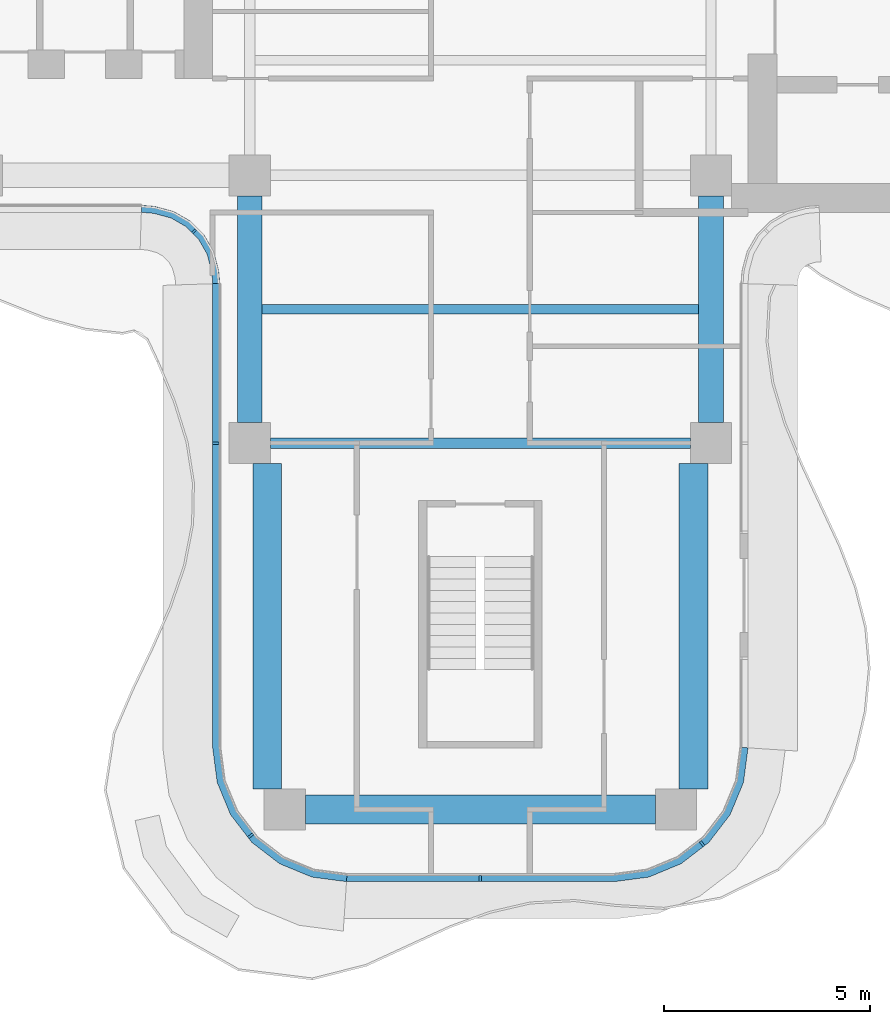
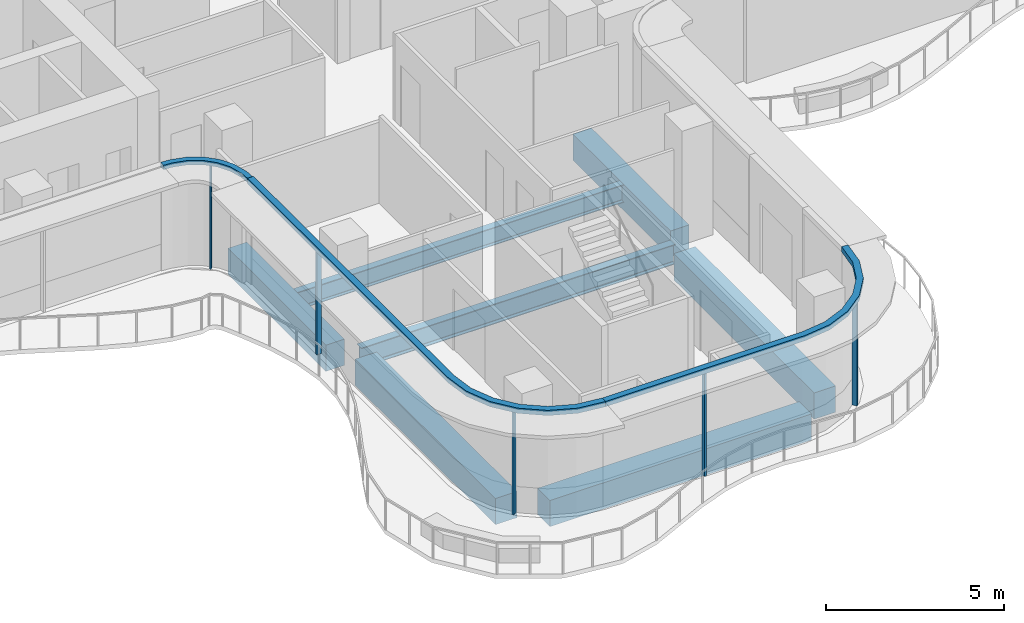
# One storey, part 2 of 16: 8 members, 7 beams, 3 elements without a shape of their own.
"""IFC4 building model written with IfcOpenShell, lengths in metres."""

from ifc_helpers import new_model, si_unit, direction, frame, origin, origin_2d, place, context, subcontext, project, spatial, polyline, rectangle, i_section, outline, extrude, source, transform, mapped, material, layer, layer_set, material_profile, profile_set, type_object, element, aggregate, save


model = new_model("IFC4")

# Units and contexts
model_context = context("Model", 3, precision=1e-05, world=origin(), true_north=direction((0.0, 1.0)))
body_context = subcontext(model_context, "Body", "Model", "MODEL_VIEW")
ifc_project = project(units=[si_unit("LENGTHUNIT", "METRE"), si_unit("AREAUNIT", "SQUARE_METRE"), si_unit("VOLUMEUNIT", "CUBIC_METRE"), si_unit("PLANEANGLEUNIT", "RADIAN"), si_unit("MASSUNIT", "GRAM", prefix="KILO")], contexts=[model_context])

# Site, building, storey
site_placement = place(None, origin())
site = spatial("IfcSite", under=ifc_project, at=site_placement, CompositionType="ELEMENT")
building_placement = place(site_placement, origin())
building = spatial("IfcBuilding", under=site, at=building_placement, Name="Trellis Farm Tower", CompositionType="ELEMENT")
storey_placement = place(building_placement, frame((0.0, 0.0, 291.10009765625)))
storey = spatial("IfcBuildingStorey", under=building, at=storey_placement, Name="L65", CompositionType="ELEMENT", Elevation=291.10009765625)

# Beams
ifc_material_1 = material(Name="Steel S355", Category="steel")
ifc_material_profile_1 = material_profile(ifc_material_1, i_section(OverallWidth=0.22900390625, OverallDepth=0.6123046875, WebThickness=0.011962890625, FlangeThickness=0.01953125, FilletRadius=0.0126953125, at=origin_2d()), Name="UB 610x229x125")
ifc_profile_set_1 = profile_set([ifc_material_profile_1], Name="Steel S355")
beam_type_1 = type_object("IfcBeamType", Name="UB 610x229x125 joist", PredefinedType="JOIST", material=ifc_profile_set_1)
shared_shape_1 = source(origin(), body_context, "Body", "SweptSolid", [
    extrude(i_section(OverallWidth=0.22900390625, OverallDepth=0.6123046875, WebThickness=0.011962890625, FlangeThickness=0.01953125, FilletRadius=0.0126953125, at=origin_2d()), origin(), (0.0, 0.0, 1.0), 10.60009765625),
])
beam_1_placement = place(storey_placement, frame((-5.300048828125, -8.85009765625, -0.506103515625), z_axis=(1.0, 0.0, 0.0), x_axis=(0.0, 1.0, 0.0)))
element("IfcBeam", 1, at=beam_1_placement, inside=storey, type_object=beam_type_1, Name="Floor beam", PredefinedType="JOIST", context=body_context, shape_type="MappedRepresentation", body=[
    mapped(shared_shape_1, transform((0.0, 0.0, 0.0))),
])
ifc_material_profile_2 = material_profile(ifc_material_1, i_section(OverallWidth=0.253662109375, OverallDepth=0.68359375, WebThickness=0.012451171875, FlangeThickness=0.021728515625, FilletRadius=0.01513671875, at=origin_2d()), Name="UB 686x254x140")
ifc_profile_set_2 = profile_set([ifc_material_profile_2], Name="Steel S355")
beam_type_2 = type_object("IfcBeamType", Name="UB 686x254x140", PredefinedType="BEAM", material=ifc_profile_set_2)
shared_shape_2 = source(origin(), body_context, "Body", "SweptSolid", [
    extrude(i_section(OverallWidth=0.253662109375, OverallDepth=0.68359375, WebThickness=0.012451171875, FlangeThickness=0.021728515625, FilletRadius=0.01513671875, at=origin_2d()), origin(), (0.0, 0.0, 1.0), 10.2001953125),
])
beam_2_placement = place(storey_placement, frame((-5.10009765625, -12.10009765625, -0.541748046875), z_axis=(1.0, 0.0, 0.0), x_axis=(0.0, 1.0, 0.0)))
element("IfcBeam", 2, at=beam_2_placement, inside=storey, type_object=beam_type_2, Name="Girder", PredefinedType="BEAM", context=body_context, shape_type="MappedRepresentation", body=[
    mapped(shared_shape_2, transform((0.0, 0.0, 0.0))),
])
ifc_material_2 = material(Name="Concrete C60/75", Category="concrete")
ifc_material_profile_3 = material_profile(ifc_material_2, rectangle(XDim=0.60009765625, YDim=0.89990234375, at=origin_2d()), Name="RC spandrel beam 600x900 C60/75")
ifc_profile_set_3 = profile_set([ifc_material_profile_3], Name="Concrete C60/75")
beam_type_3 = type_object("IfcBeamType", Name="RC spandrel beam 600x900 C60/75", PredefinedType="SPANDREL", material=ifc_profile_set_3)
shared_shape_3 = source(origin(), body_context, "Body", "SweptSolid", [
    extrude(rectangle(XDim=0.60009765625, YDim=0.89990234375, at=origin_2d()), origin(), (0.0, 0.0, 1.0), 5.5),
])
for number, where, z_axis, x_axis, name in (
    (3, (-5.60009765625, -11.60009765625, -0.650146484375), (0.0, 1.0, 0.0), (-1.0, 0.0, 0.0), "Girder"),
    (4, (5.60009765625, -11.60009765625, -0.650146484375), (0.0, 1.0, 0.0), (-1.0, 0.0, 0.0), "Girder"),
):
    element("IfcBeam", number, at=place(storey_placement, frame(where, z_axis=z_axis, x_axis=x_axis)), inside=storey, type_object=beam_type_3, Name=name, PredefinedType="SPANDREL", context=body_context, shape_type="MappedRepresentation", body=[
        mapped(shared_shape_3, transform((0.0, 0.0, 0.0))),
    ])
ifc_material_profile_4 = material_profile(ifc_material_2, rectangle(XDim=0.699951171875, YDim=0.89990234375, at=origin_2d()), Name="RC spandrel beam 700x900 C60/75")
ifc_profile_set_4 = profile_set([ifc_material_profile_4], Name="Concrete C60/75")
beam_type_4 = type_object("IfcBeamType", Name="RC spandrel beam 700x900 C60/75", PredefinedType="SPANDREL", material=ifc_profile_set_4)
shared_shape_4 = source(origin(), body_context, "Body", "SweptSolid", [
    extrude(rectangle(XDim=0.699951171875, YDim=0.89990234375, at=origin_2d()), origin(), (0.0, 0.0, 1.0), 8.5),
])
beam_3_placement = place(storey_placement, frame((-4.25, -21.0, -0.650146484375), z_axis=(1.0, 0.0, 0.0), x_axis=(0.0, 1.0, 0.0)))
element("IfcBeam", 5, at=beam_3_placement, inside=storey, type_object=beam_type_4, Name="Girder", PredefinedType="SPANDREL", context=body_context, shape_type="MappedRepresentation", body=[
    mapped(shared_shape_4, transform((0.0, 0.0, 0.0))),
])
shared_shape_5 = source(origin(), body_context, "Body", "SweptSolid", [
    extrude(rectangle(XDim=0.699951171875, YDim=0.89990234375, at=origin_2d()), origin(), (0.0, 0.0, 1.0), 7.89990234375),
])
for number, where, z_axis, x_axis, name in (
    (6, (-5.175048828125, -20.5, -0.650146484375), (0.0, 1.0, 0.0), (-1.0, 0.0, 0.0), "Girder"),
    (7, (5.175048828125, -20.5, -0.650146484375), (0.0, 1.0, 0.0), (-1.0, 0.0, 0.0), "Girder"),
):
    element("IfcBeam", number, at=place(storey_placement, frame(where, z_axis=z_axis, x_axis=x_axis)), inside=storey, type_object=beam_type_4, Name=name, PredefinedType="SPANDREL", context=body_context, shape_type="MappedRepresentation", body=[
        mapped(shared_shape_5, transform((0.0, 0.0, 0.0))),
    ])

# Curtain wall, members
ifc_material_3 = material(Name="Aluminium and glass curtain wall", Category="aluminium")
ifc_layer_1 = layer(ifc_material_3, 0.18994140625)
ifc_layer_set_1 = layer_set([ifc_layer_1], Name="RIBBON CURTAIN WALL CW1")
curtain_wall_type_1 = type_object("IfcCurtainWallType", Name="RIBBON CURTAIN WALL CW1", PredefinedType="NOTDEFINED", material=ifc_layer_set_1)
placement_1 = place(storey_placement, origin())
curtain_wall_1 = element("IfcCurtainWall", 8, at=placement_1, inside=storey, type_object=curtain_wall_type_1, Name="CW1 002", PredefinedType="NOTDEFINED")
ifc_material_4 = material(Name="Aluminium extrusion 6063-T6", Category="aluminium")
ifc_material_profile_5 = material_profile(ifc_material_4, rectangle(XDim=0.06005859375, YDim=0.14990234375, at=origin_2d()), Name="MULLION 60x150")
ifc_profile_set_5 = profile_set([ifc_material_profile_5], Name="Aluminium extrusion 6063-T6")
member_type_1 = type_object("IfcMemberType", Name="CW1 MULLION 60x150", PredefinedType="MULLION", material=ifc_profile_set_5)
shared_shape_6 = source(origin(), body_context, "Body", "SweptSolid", [
    extrude(rectangle(XDim=0.06005859375, YDim=0.14990234375, at=origin_2d()), origin(), (0.0, 0.0, 1.0), 3.52001953125),
])
member_1_placement = place(storey_placement, frame((-6.425048828125, -12.10009765625, 0.0), z_axis=(0.0, 0.0, 1.0), x_axis=(0.0, -1.0, 0.0)))
member_1 = element("IfcMember", 9, at=member_1_placement, type_object=member_type_1, Name="MU1 002-01", PredefinedType="MULLION", context=body_context, shape_type="MappedRepresentation", body=[
    mapped(shared_shape_6, transform((0.0, 0.0, 0.0))),
])
member_2_placement = place(storey_placement, frame((-5.578369140625, -21.635498046875, 0.0), z_axis=(0.0, 0.0, 1.0), x_axis=(0.608761429009, -0.793353340291, 0.0)))
member_2 = element("IfcMember", 10, at=member_2_placement, type_object=member_type_1, Name="MU1 002-02", PredefinedType="MULLION", context=body_context, shape_type="MappedRepresentation", body=[
    mapped(shared_shape_6, transform((0.0, 0.0, 0.0))),
])

curtain_wall_2 = element("IfcCurtainWall", 11, at=placement_1, inside=storey, type_object=curtain_wall_type_1, Name="CW1 003", PredefinedType="NOTDEFINED")
member_3_placement = place(storey_placement, frame((0.0, -22.675048828125, 0.0), z_axis=(0.0, 0.0, 1.0), x_axis=(1.0, 0.0, 0.0)))
member_3 = element("IfcMember", 12, at=member_3_placement, type_object=member_type_1, Name="MU1 003-01", PredefinedType="MULLION", context=body_context, shape_type="MappedRepresentation", body=[
    mapped(shared_shape_6, transform((0.0, 0.0, 0.0))),
])
member_4_placement = place(storey_placement, frame((5.385498046875, -21.828369140625, 0.0), z_axis=(0.0, 0.0, 1.0), x_axis=(0.793353340291, 0.608761429009, 0.0)))
member_4 = element("IfcMember", 13, at=member_4_placement, type_object=member_type_1, Name="MU1 003-02", PredefinedType="MULLION", context=body_context, shape_type="MappedRepresentation", body=[
    mapped(shared_shape_6, transform((0.0, 0.0, 0.0))),
])

ifc_layer_2 = layer(ifc_material_3, 0.166015625)
ifc_layer_set_2 = layer_set([ifc_layer_2], Name="WINTER GARDEN CURTAIN WALL CW3")
curtain_wall_type_2 = type_object("IfcCurtainWallType", Name="WINTER GARDEN CURTAIN WALL CW3", PredefinedType="NOTDEFINED", material=ifc_layer_set_2)
curtain_wall_3 = element("IfcCurtainWall", 14, at=placement_1, inside=storey, type_object=curtain_wall_type_2, Name="CW3 001", PredefinedType="NOTDEFINED")
ifc_layer_3 = layer(ifc_material_4, 0.169921875)
ifc_layer_set_3 = layer_set([ifc_layer_3], Name="Aluminium extrusion 6063-T6")
member_type_2 = type_object("IfcMemberType", Name="CW3 TRANSOM 170x150", PredefinedType="USERDEFINED", material=ifc_layer_set_3)
shared_shape_7 = source(origin(), body_context, "Body", "SweptSolid", [
    extrude(outline(polyline([(-8.2314453125, -6.5), (-8.01953125, -6.513916015625), (-7.91552734375, -6.527587890625), (-7.508544921875, -6.63671875), (-7.144287109375, -6.846923828125), (-6.846923828125, -7.144287109375), (-6.63671875, -7.508544921875), (-6.527587890625, -7.91552734375), (-6.513916015625, -8.01953125), (-6.5, -8.2314453125), (-6.330078125, -8.225830078125), (-6.3447265625, -8.0029296875), (-6.360595703125, -7.88232421875), (-6.478271484375, -7.44287109375), (-6.7109375, -7.0400390625), (-7.0400390625, -6.7109375), (-7.44287109375, -6.478271484375), (-7.88232421875, -6.360595703125), (-8.0029296875, -6.3447265625), (-8.225830078125, -6.330078125), (-8.2314453125, -6.5)])), origin(), (0.0, 0.0, 1.0), 0.150146484375),
])
member_5_placement = place(storey_placement, frame((0.0, 0.0, 3.5498046875)))
member_5 = element("IfcMember", 15, at=member_5_placement, type_object=member_type_2, Name="TR3 001", ObjectType="TRANSOM", PredefinedType="USERDEFINED", context=body_context, shape_type="MappedRepresentation", body=[
    mapped(shared_shape_7, transform((0.0, 0.0, 0.0))),
])
ifc_material_profile_6 = material_profile(ifc_material_4, rectangle(XDim=0.050048828125, YDim=0.1201171875, at=origin_2d()), Name="MULLION 50x120")
ifc_profile_set_6 = profile_set([ifc_material_profile_6], Name="Aluminium extrusion 6063-T6")
member_type_3 = type_object("IfcMemberType", Name="CW3 MULLION 50x120", PredefinedType="MULLION", material=ifc_profile_set_6)
shared_shape_8 = source(origin(), body_context, "Body", "SweptSolid", [
    extrude(rectangle(XDim=0.050048828125, YDim=0.1201171875, at=origin_2d()), origin(), (0.0, 0.0, 1.0), 3.5498046875),
])
member_6_placement = place(storey_placement, frame((-6.953125, -6.953125, 0.0), z_axis=(0.0, 0.0, 1.0), x_axis=(0.707106781187, -0.707106781187, 0.0)))
member_6 = element("IfcMember", 16, at=member_6_placement, type_object=member_type_3, Name="MU3 001-01", PredefinedType="MULLION", context=body_context, shape_type="MappedRepresentation", body=[
    mapped(shared_shape_8, transform((0.0, 0.0, 0.0))),
])
aggregate(curtain_wall_3, [member_6, member_5])

# Member
ifc_layer_4 = layer(ifc_material_4, 0.199951171875)
ifc_layer_set_4 = layer_set([ifc_layer_4], Name="Aluminium extrusion 6063-T6")
member_type_4 = type_object("IfcMemberType", Name="CW1 TRANSOM 200x180", PredefinedType="USERDEFINED", material=ifc_layer_set_4)
shared_shape_9 = source(origin(), body_context, "Body", "SweptSolid", [
    extrude(outline(polyline([(-6.5, -8.2314453125), (-6.5, -19.5), (-6.38916015625, -20.341064453125), (-6.064697265625, -21.125), (-5.548095703125, -21.798095703125), (-4.875, -22.314697265625), (-4.091064453125, -22.63916015625), (-3.25, -22.75), (-3.23681640625, -22.550048828125), (-4.0390625, -22.4443359375), (-4.774169921875, -22.139892578125), (-5.405517578125, -21.655517578125), (-5.889892578125, -21.024169921875), (-6.1943359375, -20.2890625), (-6.300048828125, -19.48681640625), (-6.300048828125, -8.224853515625), (-6.5, -8.2314453125)])), origin(), (0.0, 0.0, 1.0), 0.179931640625),
])
placement_2 = place(storey_placement, frame((0.0, 0.0, 3.52001953125)))
member_7 = element("IfcMember", 17, at=placement_2, type_object=member_type_4, Name="TR1 002", ObjectType="TRANSOM", PredefinedType="USERDEFINED", context=body_context, shape_type="MappedRepresentation", body=[
    mapped(shared_shape_9, transform((0.0, 0.0, 0.0))),
])

aggregate(curtain_wall_1, [member_1, member_2, member_7])

shared_shape_10 = source(origin(), body_context, "Body", "SweptSolid", [
    extrude(outline(polyline([(-3.25, -22.75), (3.25, -22.75), (4.091064453125, -22.63916015625), (4.875, -22.314697265625), (5.548095703125, -21.798095703125), (6.064697265625, -21.125), (6.38916015625, -20.341064453125), (6.5, -19.5), (6.300048828125, -19.48681640625), (6.1943359375, -20.2890625), (5.889892578125, -21.024169921875), (5.405517578125, -21.655517578125), (4.774169921875, -22.139892578125), (4.0390625, -22.4443359375), (3.23681640625, -22.550048828125), (-3.23681640625, -22.550048828125), (-3.25, -22.75)])), origin(), (0.0, 0.0, 1.0), 0.179931640625),
])
member_8 = element("IfcMember", 18, at=placement_2, type_object=member_type_4, Name="TR1 003", ObjectType="TRANSOM", PredefinedType="USERDEFINED", context=body_context, shape_type="MappedRepresentation", body=[
    mapped(shared_shape_10, transform((0.0, 0.0, 0.0))),
])

aggregate(curtain_wall_2, [member_3, member_4, member_8])

save(model, "model.ifc")
